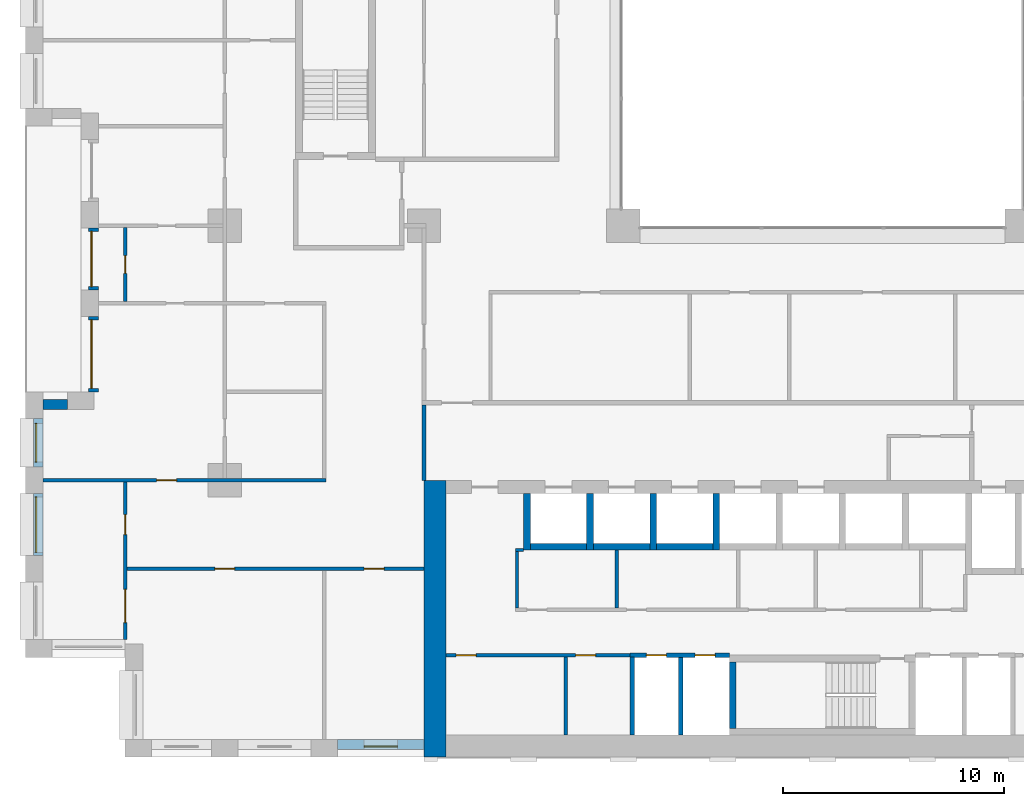
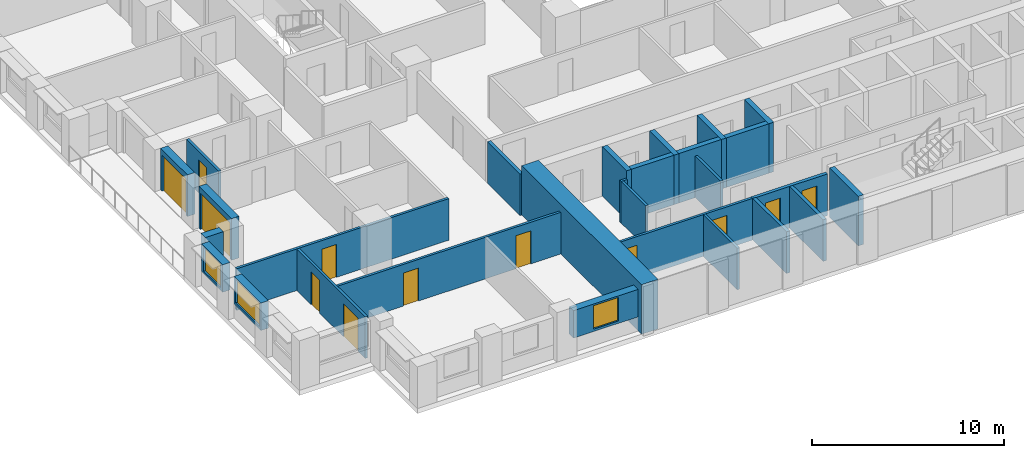
# One storey, part 9 of 20: 28 walls, 12 doors, 3 windows, 15 openings.
"""IFC4 building model written with IfcOpenShell, lengths in metres."""

from ifc_helpers import new_model, si_unit, direction, frame, frame_2d, origin, place, context, subcontext, project, spatial, rectangle, extrude, material, layer, layer_set, type_object, element, fill, save


model = new_model("IFC4")

# Units and contexts
model_context = context("Model", 3, precision=1e-05, world=origin(), true_north=direction((0.0, 1.0)))
body_context = subcontext(model_context, "Body", "Model", "MODEL_VIEW")
ifc_project = project(units=[si_unit("LENGTHUNIT", "METRE"), si_unit("AREAUNIT", "SQUARE_METRE"), si_unit("VOLUMEUNIT", "CUBIC_METRE"), si_unit("PLANEANGLEUNIT", "RADIAN"), si_unit("MASSUNIT", "GRAM", prefix="KILO")], contexts=[model_context])

# Site, building, storey
site_placement = place(None, origin())
site = spatial("IfcSite", under=ifc_project, at=site_placement, CompositionType="ELEMENT")
building_placement = place(site_placement, origin())
building = spatial("IfcBuilding", under=site, at=building_placement, Name="Brigalow Station Residences", CompositionType="ELEMENT")
storey_placement = place(building_placement, frame((0.0, 0.0, 69.89990234375)))
storey = spatial("IfcBuildingStorey", under=building, at=storey_placement, Name="L20", CompositionType="ELEMENT", Elevation=69.89990234375)

# Wall, opening, window
ifc_material_1 = material(Name="Clay brick masonry", Category="masonry")
ifc_layer_1 = layer(ifc_material_1, 0.449951171875)
ifc_layer_set_1 = layer_set([ifc_layer_1], Name="BRICK INFILL WALL 450")
wall_type_1 = type_object("IfcWallType", Name="BRICK INFILL WALL 450", PredefinedType="SOLIDWALL", material=ifc_layer_set_1)
wall_1_placement = place(storey_placement, frame((14.10009765625, 0.574951171875, 0.900146484375), z_axis=(0.0, 0.0, 1.0), x_axis=(1.0, 0.0, 0.0)))
wall_1 = element("IfcWall", 1, at=wall_1_placement, inside=storey, type_object=wall_type_1, Name="L20/ewall/W-L20-3", PredefinedType="SOLIDWALL", context=body_context, shape_type="SweptSolid", body=[
    extrude(rectangle(XDim=3.89990234375, YDim=0.449951171875, at=frame_2d((1.949951171875, 0.0))), origin(), (0.0, 0.0, 1.0), 1.75),
])
opening_1_placement = place(wall_1_placement, frame((1.199951171875, 0.0, 0.14990234375)))
opening_1 = element("IfcOpeningElement", 2, at=opening_1_placement, cuts=wall_1, Name="Opening WT-1", PredefinedType="OPENING", context=body_context, shape_type="SweptSolid", body=[
    extrude(rectangle(XDim=1.5, YDim=1.5, at=frame_2d((0.75, 0.75))), frame((0.0, 0.23486328125, 0.0), z_axis=(0.0, -1.0, 0.0), x_axis=(1.0, 0.0, 0.0)), (0.0, 0.0, 1.0), 0.469970703125),
])
ifc_material_2 = material(Name="Anodised aluminium frame with double glazing", Category="aluminium")
window_type_1 = type_object("IfcWindowType", Name="WINDOW 1500x1500", PartitioningType="SINGLE_PANEL", PredefinedType="WINDOW", material=ifc_material_2)
window_1_placement = place(opening_1_placement, origin())
window_1 = element("IfcWindow", 3, at=window_1_placement, inside=storey, type_object=window_type_1, Name="L20/window/W-L20-3", OverallHeight=1.5, OverallWidth=1.5, PartitioningType="SINGLE_PANEL", PredefinedType="WINDOW", context=body_context, shape_type="SweptSolid", body=[
    extrude(rectangle(XDim=1.5, YDim=1.5, at=frame_2d((0.75, 0.75))), frame((0.0, -0.06494140625, 0.0), z_axis=(0.0, -1.0, 0.0), x_axis=(1.0, 0.0, 0.0)), (0.0, 0.0, 1.0), 0.06005859375),
])
fill(opening_1, window_1)

# Wall, opening, door
wall_2_placement = place(storey_placement, frame((3.074951171875, 23.89990234375, 0.0), z_axis=(0.0, 0.0, 1.0), x_axis=(0.0, -1.0, 0.0)))
wall_2 = element("IfcWall", 4, at=wall_2_placement, inside=storey, type_object=wall_type_1, Name="L20/ewall/W-L20-48", PredefinedType="SOLIDWALL", context=body_context, shape_type="SweptSolid", body=[
    extrude(rectangle(XDim=2.7998046875, YDim=0.449951171875, at=frame_2d((1.39990234375, 0.0))), origin(), (0.0, 0.0, 1.0), 2.650146484375),
])
opening_2_placement = place(wall_2_placement, frame((0.14990234375, 0.0, 0.0)))
opening_2 = element("IfcOpeningElement", 5, at=opening_2_placement, cuts=wall_2, Name="Opening D-B2500", PredefinedType="OPENING", context=body_context, shape_type="SweptSolid", body=[
    extrude(rectangle(XDim=2.5, YDim=2.300048828125, at=frame_2d((1.25, 1.14990234375))), frame((0.0, 0.23486328125, 0.0), z_axis=(0.0, -1.0, 0.0), x_axis=(1.0, 0.0, 0.0)), (0.0, 0.0, 1.0), 0.469970703125),
])
ifc_material_3 = material(Name="Anodised aluminium frame with double glazing", Category="aluminium")
door_type_1 = type_object("IfcDoorType", Name="BALCONY SLIDING DOOR 2500x2300", OperationType="SLIDING_TO_LEFT", PredefinedType="DOOR", material=ifc_material_3)
door_1_placement = place(opening_2_placement, origin())
door_1 = element("IfcDoor", 6, at=door_1_placement, inside=storey, type_object=door_type_1, Name="L20/balcony-door/W-L20-48", OperationType="SLIDING_TO_LEFT", OverallHeight=2.300048828125, OverallWidth=2.5, PredefinedType="DOOR", context=body_context, shape_type="SweptSolid", body=[
    extrude(rectangle(XDim=2.5, YDim=2.300048828125, at=frame_2d((1.25, 1.14990234375))), frame((0.0, -0.06982421875, 0.0), z_axis=(0.0, -1.0, 0.0), x_axis=(1.0, 0.0, 0.0)), (0.0, 0.0, 1.0), 0.050048828125),
])
fill(opening_2, door_1)

wall_3_placement = place(storey_placement, frame((3.074951171875, 19.89990234375, 0.0), z_axis=(0.0, 0.0, 1.0), x_axis=(0.0, -1.0, 0.0)))
wall_3 = element("IfcWall", 7, at=wall_3_placement, inside=storey, type_object=wall_type_1, Name="L20/ewall/W-L20-49", PredefinedType="SOLIDWALL", context=body_context, shape_type="SweptSolid", body=[
    extrude(rectangle(XDim=3.39990234375, YDim=0.449951171875, at=frame_2d((1.699951171875, 0.0))), origin(), (0.0, 0.0, 1.0), 2.650146484375),
])
opening_3_placement = place(wall_3_placement, frame((0.14990234375, 0.0, 0.0)))
opening_3 = element("IfcOpeningElement", 8, at=opening_3_placement, cuts=wall_3, Name="Opening D-B3100", PredefinedType="OPENING", context=body_context, shape_type="SweptSolid", body=[
    extrude(rectangle(XDim=3.10009765625, YDim=2.300048828125, at=frame_2d((1.550048828125, 1.14990234375))), frame((0.0, 0.23486328125, 0.0), z_axis=(0.0, -1.0, 0.0), x_axis=(1.0, 0.0, 0.0)), (0.0, 0.0, 1.0), 0.469970703125),
])
ifc_material_4 = material(Name="Anodised aluminium frame with double glazing", Category="aluminium")
door_type_2 = type_object("IfcDoorType", Name="BALCONY SLIDING DOOR 3100x2300", OperationType="SLIDING_TO_LEFT", PredefinedType="DOOR", material=ifc_material_4)
door_2_placement = place(opening_3_placement, origin())
door_2 = element("IfcDoor", 9, at=door_2_placement, inside=storey, type_object=door_type_2, Name="L20/balcony-door/W-L20-49", OperationType="SLIDING_TO_LEFT", OverallHeight=2.300048828125, OverallWidth=3.10009765625, PredefinedType="DOOR", context=body_context, shape_type="SweptSolid", body=[
    extrude(rectangle(XDim=3.10009765625, YDim=2.300048828125, at=frame_2d((1.550048828125, 1.14990234375))), frame((0.0, -0.06982421875, 0.0), z_axis=(0.0, -1.0, 0.0), x_axis=(1.0, 0.0, 0.0)), (0.0, 0.0, 1.0), 0.050048828125),
])
fill(opening_3, door_2)

# Wall
wall_4_placement = place(storey_placement, frame((1.89990234375, 15.925048828125, 0.900146484375), z_axis=(0.0, 0.0, 1.0), x_axis=(-1.0, 0.0, 0.0)))
element("IfcWall", 10, at=wall_4_placement, inside=storey, type_object=wall_type_1, Name="L20/ewall/W-L20-50", PredefinedType="SOLIDWALL", context=body_context, shape_type="SweptSolid", body=[
    extrude(rectangle(XDim=1.099853515625, YDim=0.449951171875, at=frame_2d((0.5498046875, 0.0))), origin(), (0.0, 0.0, 1.0), 1.75),
])

# Wall, opening, window
wall_5_placement = place(storey_placement, frame((0.574951171875, 15.300048828125, 0.900146484375), z_axis=(0.0, 0.0, 1.0), x_axis=(0.0, -1.0, 0.0)))
wall_5 = element("IfcWall", 11, at=wall_5_placement, inside=storey, type_object=wall_type_1, Name="L20/ewall/W-L20-51", PredefinedType="SOLIDWALL", context=body_context, shape_type="SweptSolid", body=[
    extrude(rectangle(XDim=2.199951171875, YDim=0.449951171875, at=frame_2d((1.10009765625, 0.0))), origin(), (0.0, 0.0, 1.0), 1.75),
])
opening_4_placement = place(wall_5_placement, frame((0.22509765625, 0.0, 0.14990234375)))
opening_4 = element("IfcOpeningElement", 12, at=opening_4_placement, cuts=wall_5, Name="Opening WT-4", PredefinedType="OPENING", context=body_context, shape_type="SweptSolid", body=[
    extrude(rectangle(XDim=1.75, YDim=1.5, at=frame_2d((0.875, 0.75))), frame((0.0, 0.23486328125, 0.0), z_axis=(0.0, -1.0, 0.0), x_axis=(1.0, 0.0, 0.0)), (0.0, 0.0, 1.0), 0.469970703125),
])
ifc_material_5 = material(Name="Anodised aluminium frame with double glazing", Category="aluminium")
window_type_2 = type_object("IfcWindowType", Name="WINDOW 1750x1500", PartitioningType="SINGLE_PANEL", PredefinedType="WINDOW", material=ifc_material_5)
window_2_placement = place(opening_4_placement, origin())
window_2 = element("IfcWindow", 13, at=window_2_placement, inside=storey, type_object=window_type_2, Name="L20/window/W-L20-51", OverallHeight=1.5, OverallWidth=1.75, PartitioningType="SINGLE_PANEL", PredefinedType="WINDOW", context=body_context, shape_type="SweptSolid", body=[
    extrude(rectangle(XDim=1.75, YDim=1.5, at=frame_2d((0.875, 0.75))), frame((0.0, -0.06494140625, 0.0), z_axis=(0.0, -1.0, 0.0), x_axis=(1.0, 0.0, 0.0)), (0.0, 0.0, 1.0), 0.06005859375),
])
fill(opening_4, window_2)

wall_6_placement = place(storey_placement, frame((0.574951171875, 11.89990234375, 0.900146484375), z_axis=(0.0, 0.0, 1.0), x_axis=(0.0, -1.0, 0.0)))
wall_6 = element("IfcWall", 14, at=wall_6_placement, inside=storey, type_object=wall_type_1, Name="L20/ewall/W-L20-52", PredefinedType="SOLIDWALL", context=body_context, shape_type="SweptSolid", body=[
    extrude(rectangle(XDim=2.7998046875, YDim=0.449951171875, at=frame_2d((1.39990234375, 0.0))), origin(), (0.0, 0.0, 1.0), 1.75),
])
opening_5_placement = place(wall_6_placement, frame((0.14990234375, 0.0, 0.14990234375)))
opening_5 = element("IfcOpeningElement", 15, at=opening_5_placement, cuts=wall_6, Name="Opening WT-5", PredefinedType="OPENING", context=body_context, shape_type="SweptSolid", body=[
    extrude(rectangle(XDim=2.5, YDim=1.5, at=frame_2d((1.25, 0.75))), frame((0.0, 0.23486328125, 0.0), z_axis=(0.0, -1.0, 0.0), x_axis=(1.0, 0.0, 0.0)), (0.0, 0.0, 1.0), 0.469970703125),
])
ifc_material_6 = material(Name="Anodised aluminium frame with double glazing", Category="aluminium")
window_type_3 = type_object("IfcWindowType", Name="WINDOW 2500x1500", PartitioningType="SINGLE_PANEL", PredefinedType="WINDOW", material=ifc_material_6)
window_3_placement = place(opening_5_placement, origin())
window_3 = element("IfcWindow", 16, at=window_3_placement, inside=storey, type_object=window_type_3, Name="L20/window/W-L20-52", OverallHeight=1.5, OverallWidth=2.5, PartitioningType="SINGLE_PANEL", PredefinedType="WINDOW", context=body_context, shape_type="SweptSolid", body=[
    extrude(rectangle(XDim=2.5, YDim=1.5, at=frame_2d((1.25, 0.75))), frame((0.0, -0.06494140625, 0.0), z_axis=(0.0, -1.0, 0.0), x_axis=(1.0, 0.0, 0.0)), (0.0, 0.0, 1.0), 0.06005859375),
])
fill(opening_5, window_3)

# Walls
ifc_material_7 = material(Name="Concrete C80", Category="concrete")
ifc_layer_2 = layer(ifc_material_7, 1.0)
ifc_layer_set_2 = layer_set([ifc_layer_2], Name="CORE SHEAR WALL 1000 C80")
wall_type_2 = type_object("IfcWallType", Name="CORE SHEAR WALL 1000 C80", PredefinedType="SHEAR", material=ifc_layer_set_2)
wall_7_placement = place(storey_placement, frame((18.5, 0.0, 0.0), z_axis=(0.0, 0.0, 1.0), x_axis=(0.0, 1.0, 0.0)))
element("IfcWall", 17, at=wall_7_placement, inside=storey, type_object=wall_type_2, Name="CORE WALL OUT-W L20", PredefinedType="SHEAR", context=body_context, shape_type="SweptSolid", body=[
    extrude(rectangle(XDim=12.5, YDim=1.0, at=frame_2d((6.25, 0.0))), origin(), (0.0, 0.0, 1.0), 3.150146484375),
])
ifc_material_8 = material(Name="Concrete C80", Category="concrete")
ifc_layer_3 = layer(ifc_material_8, 0.300048828125)
ifc_layer_set_3 = layer_set([ifc_layer_3], Name="CORE SHEAR WALL 300 C80")
wall_type_3 = type_object("IfcWallType", Name="CORE SHEAR WALL 300 C80", PredefinedType="SHEAR", material=ifc_layer_set_3)
wall_8_placement = place(storey_placement, frame((22.800048828125, 9.5, 0.0), z_axis=(0.0, 0.0, 1.0), x_axis=(1.0, 0.0, 0.0)))
element("IfcWall", 18, at=wall_8_placement, inside=storey, type_object=wall_type_3, Name="CORE WALL SH-P1-S L20", PredefinedType="SHEAR", context=body_context, shape_type="SweptSolid", body=[
    extrude(rectangle(XDim=2.550048828125, YDim=0.300048828125, at=frame_2d((1.27490234375, 0.0))), origin(), (0.0, 0.0, 1.0), 3.150146484375),
])
wall_9_placement = place(storey_placement, frame((22.64990234375, 9.35009765625, 0.0), z_axis=(0.0, 0.0, 1.0), x_axis=(0.0, 1.0, 0.0)))
element("IfcWall", 19, at=wall_9_placement, inside=storey, type_object=wall_type_3, Name="CORE WALL SH-P1-W L20", PredefinedType="SHEAR", context=body_context, shape_type="SweptSolid", body=[
    extrude(rectangle(XDim=2.5498046875, YDim=0.300048828125, at=frame_2d((1.27490234375, 0.0))), origin(), (0.0, 0.0, 1.0), 3.150146484375),
])
wall_10_placement = place(storey_placement, frame((25.64990234375, 9.5, 0.0), z_axis=(0.0, 0.0, 1.0), x_axis=(1.0, 0.0, 0.0)))
element("IfcWall", 20, at=wall_10_placement, inside=storey, type_object=wall_type_3, Name="CORE WALL SH-P2-S L20", PredefinedType="SHEAR", context=body_context, shape_type="SweptSolid", body=[
    extrude(rectangle(XDim=2.550048828125, YDim=0.300048828125, at=frame_2d((1.27490234375, 0.0))), origin(), (0.0, 0.0, 1.0), 3.150146484375),
])
wall_11_placement = place(storey_placement, frame((25.5, 9.35009765625, 0.0), z_axis=(0.0, 0.0, 1.0), x_axis=(0.0, 1.0, 0.0)))
element("IfcWall", 21, at=wall_11_placement, inside=storey, type_object=wall_type_3, Name="CORE WALL SH-P2-W L20", PredefinedType="SHEAR", context=body_context, shape_type="SweptSolid", body=[
    extrude(rectangle(XDim=2.5498046875, YDim=0.300048828125, at=frame_2d((1.27490234375, 0.0))), origin(), (0.0, 0.0, 1.0), 3.150146484375),
])
wall_12_placement = place(storey_placement, frame((28.5, 9.5, 0.0), z_axis=(0.0, 0.0, 1.0), x_axis=(1.0, 0.0, 0.0)))
element("IfcWall", 22, at=wall_12_placement, inside=storey, type_object=wall_type_3, Name="CORE WALL SH-P3-S L20", PredefinedType="SHEAR", context=body_context, shape_type="SweptSolid", body=[
    extrude(rectangle(XDim=2.550048828125, YDim=0.300048828125, at=frame_2d((1.27490234375, 0.0))), origin(), (0.0, 0.0, 1.0), 3.150146484375),
])
for number, where, z_axis, x_axis, name in (
    (23, (28.35009765625, 9.35009765625, 0.0), (0.0, 0.0, 1.0), (0.0, 1.0, 0.0), "CORE WALL SH-P3-W L20"),
    (24, (31.199951171875, 9.35009765625, 0.0), (0.0, 0.0, 1.0), (0.0, 1.0, 0.0), "CORE WALL SH-P4-W L20"),
):
    element("IfcWall", number, at=place(storey_placement, frame(where, z_axis=z_axis, x_axis=x_axis)), inside=storey, type_object=wall_type_3, Name=name, PredefinedType="SHEAR", context=body_context, shape_type="SweptSolid", body=[
        extrude(rectangle(XDim=2.5498046875, YDim=0.300048828125, at=frame_2d((1.27490234375, 0.0))), origin(), (0.0, 0.0, 1.0), 3.150146484375),
    ])
wall_13_placement = place(storey_placement, frame((31.949951171875, 1.300048828125, 0.0), z_axis=(0.0, 0.0, 1.0), x_axis=(0.0, 1.0, 0.0)))
element("IfcWall", 25, at=wall_13_placement, inside=storey, type_object=wall_type_3, Name="CORE WALL ST-S2-W L20", PredefinedType="SHEAR", context=body_context, shape_type="SweptSolid", body=[
    extrude(rectangle(XDim=3.0, YDim=0.300048828125, at=frame_2d((1.5, 0.0))), origin(), (0.0, 0.0, 1.0), 3.150146484375),
])

# Wall, openings, doors
ifc_material_9 = material(Name="Concrete blockwork", Category="masonry")
ifc_layer_4 = layer(ifc_material_9, 0.199951171875)
ifc_layer_set_4 = layer_set([ifc_layer_4], Name="FIRE RATED CORE PARTITION 200")
wall_type_4 = type_object("IfcWallType", Name="FIRE RATED CORE PARTITION 200", PredefinedType="PARTITIONING", material=ifc_layer_set_4)
wall_14_placement = place(storey_placement, frame((27.300048828125, 4.60009765625, 0.0), z_axis=(0.0, 0.0, 1.0), x_axis=(1.0, 0.0, 0.0)))
wall_14 = element("IfcWall", 26, at=wall_14_placement, inside=storey, type_object=wall_type_4, Name="PW-5017", PredefinedType="PARTITIONING", context=body_context, shape_type="SweptSolid", body=[
    extrude(rectangle(XDim=4.5, YDim=0.199951171875, at=frame_2d((2.25, 0.0))), origin(), (0.0, 0.0, 1.0), 2.650146484375),
])
opening_6_placement = place(wall_14_placement, frame((0.75, 0.0, 0.0)))
opening_6 = element("IfcOpeningElement", 27, at=opening_6_placement, cuts=wall_14, Name="Opening D-5007", PredefinedType="OPENING", context=body_context, shape_type="SweptSolid", body=[
    extrude(rectangle(XDim=0.89990234375, YDim=2.10009765625, at=frame_2d((0.449951171875, 1.050048828125))), frame((0.0, 0.10986328125, 0.0), z_axis=(0.0, -1.0, 0.0), x_axis=(1.0, 0.0, 0.0)), (0.0, 0.0, 1.0), 0.219970703125),
])
opening_7_placement = place(wall_14_placement, frame((2.949951171875, 0.0, 0.0)))
opening_7 = element("IfcOpeningElement", 28, at=opening_7_placement, cuts=wall_14, Name="Opening D-5008", PredefinedType="OPENING", context=body_context, shape_type="SweptSolid", body=[
    extrude(rectangle(XDim=0.89990234375, YDim=2.10009765625, at=frame_2d((0.449951171875, 1.050048828125))), frame((0.0, 0.10986328125, 0.0), z_axis=(0.0, -1.0, 0.0), x_axis=(1.0, 0.0, 0.0)), (0.0, 0.0, 1.0), 0.219970703125),
])
ifc_material_10 = material(Name="Steel fire door leaf in steel frame", Category="steel")
door_type_3 = type_object("IfcDoorType", Name="RISER ACCESS DOOR 900 x 2100 FD120", OperationType="SINGLE_SWING_LEFT", PredefinedType="DOOR", material=ifc_material_10)
door_3_placement = place(opening_6_placement, frame((0.89990234375, 0.0, 0.0), z_axis=(0.0, 0.0, 1.0), x_axis=(-1.0, 0.0, 0.0)))
door_3 = element("IfcDoor", 29, at=door_3_placement, inside=storey, type_object=door_type_3, Name="D-5007", OperationType="SINGLE_SWING_RIGHT", OverallHeight=2.10009765625, OverallWidth=0.89990234375, PredefinedType="DOOR", context=body_context, shape_type="SweptSolid", body=[
    extrude(rectangle(XDim=0.89990234375, YDim=2.10009765625, at=frame_2d((0.449951171875, 1.050048828125))), frame((0.0, 0.02490234375, 0.0), z_axis=(0.0, -1.0, 0.0), x_axis=(1.0, 0.0, 0.0)), (0.0, 0.0, 1.0), 0.050048828125),
])
fill(opening_6, door_3)
door_4_placement = place(opening_7_placement, frame((0.89990234375, 0.0, 0.0), z_axis=(0.0, 0.0, 1.0), x_axis=(-1.0, 0.0, 0.0)))
door_4 = element("IfcDoor", 30, at=door_4_placement, inside=storey, type_object=door_type_3, Name="D-5008", OperationType="SINGLE_SWING_RIGHT", OverallHeight=2.10009765625, OverallWidth=0.89990234375, PredefinedType="DOOR", context=body_context, shape_type="SweptSolid", body=[
    extrude(rectangle(XDim=0.89990234375, YDim=2.10009765625, at=frame_2d((0.449951171875, 1.050048828125))), frame((0.0, 0.02490234375, 0.0), z_axis=(0.0, -1.0, 0.0), x_axis=(1.0, 0.0, 0.0)), (0.0, 0.0, 1.0), 0.050048828125),
])
fill(opening_7, door_4)

# Walls
wall_15_placement = place(storey_placement, frame((27.39990234375, 1.0, 0.0), z_axis=(0.0, 0.0, 1.0), x_axis=(0.0, 1.0, 0.0)))
element("IfcWall", 31, at=wall_15_placement, inside=storey, type_object=wall_type_4, Name="PW-5027", PredefinedType="PARTITIONING", context=body_context, shape_type="SweptSolid", body=[
    extrude(rectangle(XDim=3.52490234375, YDim=0.199951171875, at=frame_2d((1.762451171875, 0.0))), origin(), (0.0, 0.0, 1.0), 2.650146484375),
])
wall_16_placement = place(storey_placement, frame((29.60009765625, 1.0, 0.0), z_axis=(0.0, 0.0, 1.0), x_axis=(0.0, 1.0, 0.0)))
element("IfcWall", 32, at=wall_16_placement, inside=storey, type_object=wall_type_4, Name="PW-5006", PredefinedType="PARTITIONING", context=body_context, shape_type="SweptSolid", body=[
    extrude(rectangle(XDim=3.5, YDim=0.199951171875, at=frame_2d((1.75, 0.0))), origin(), (0.0, 0.0, 1.0), 2.650146484375),
])
wall_17_placement = place(storey_placement, frame((18.0, 12.5, 0.0), z_axis=(0.0, 0.0, 1.0), x_axis=(0.0, 1.0, 0.0)))
element("IfcWall", 33, at=wall_17_placement, inside=storey, type_object=wall_type_4, Name="PW-5013", PredefinedType="PARTITIONING", context=body_context, shape_type="SweptSolid", body=[
    extrude(rectangle(XDim=3.39990234375, YDim=0.199951171875, at=frame_2d((1.699951171875, 0.0))), origin(), (0.0, 0.0, 1.0), 2.650146484375),
])

# Wall, openings, doors
ifc_material_11 = material(Name="Plasterboard on steel stud partition", Category="steel")
ifc_layer_5 = layer(ifc_material_11, 0.14990234375)
ifc_layer_set_5 = layer_set([ifc_layer_5], Name="FLAT PARTITION 150")
wall_type_5 = type_object("IfcWallType", Name="FLAT PARTITION 150", PredefinedType="PARTITIONING", material=ifc_layer_set_5)
wall_18_placement = place(storey_placement, frame((4.574951171875, 8.5, 0.0), z_axis=(0.0, 0.0, 1.0), x_axis=(1.0, 0.0, 0.0)))
wall_18 = element("IfcWall", 34, at=wall_18_placement, inside=storey, type_object=wall_type_5, Name="PW-1G10", PredefinedType="PARTITIONING", context=body_context, shape_type="SweptSolid", body=[
    extrude(rectangle(XDim=13.425048828125, YDim=0.14990234375, at=frame_2d((6.71240234375, 0.0))), origin(), (0.0, 0.0, 1.0), 2.650146484375),
])
opening_8_placement = place(wall_18_placement, frame((10.72509765625, 0.0, 0.0)))
opening_8 = element("IfcOpeningElement", 35, at=opening_8_placement, cuts=wall_18, Name="Opening D-1G12", PredefinedType="OPENING", context=body_context, shape_type="SweptSolid", body=[
    extrude(rectangle(XDim=0.89990234375, YDim=2.10009765625, at=frame_2d((0.449951171875, 1.050048828125))), frame((0.0, 0.0849609375, 0.0), z_axis=(0.0, -1.0, 0.0), x_axis=(1.0, 0.0, 0.0)), (0.0, 0.0, 1.0), 0.169921875),
])
opening_9_placement = place(wall_18_placement, frame((3.97509765625, 0.0, 0.0)))
opening_9 = element("IfcOpeningElement", 36, at=opening_9_placement, cuts=wall_18, Name="Opening D-1G14", PredefinedType="OPENING", context=body_context, shape_type="SweptSolid", body=[
    extrude(rectangle(XDim=0.89990234375, YDim=2.10009765625, at=frame_2d((0.449951171875, 1.050048828125))), frame((0.0, 0.0849609375, 0.0), z_axis=(0.0, -1.0, 0.0), x_axis=(1.0, 0.0, 0.0)), (0.0, 0.0, 1.0), 0.169921875),
])
ifc_material_12 = material(Name="Solid-core timber door leaf", Category="wood")
door_type_4 = type_object("IfcDoorType", Name="INTERNAL DOOR 900 x 2100", OperationType="SINGLE_SWING_LEFT", PredefinedType="DOOR", material=ifc_material_12)
door_5_placement = place(opening_8_placement, frame((0.89990234375, 0.0, 0.0), z_axis=(0.0, 0.0, 1.0), x_axis=(-1.0, 0.0, 0.0)))
door_5 = element("IfcDoor", 37, at=door_5_placement, inside=storey, type_object=door_type_4, Name="D-1G12", OperationType="SINGLE_SWING_RIGHT", OverallHeight=2.10009765625, OverallWidth=0.89990234375, PredefinedType="DOOR", context=body_context, shape_type="SweptSolid", body=[
    extrude(rectangle(XDim=0.89990234375, YDim=2.10009765625, at=frame_2d((0.449951171875, 1.050048828125))), frame((0.0, 0.02490234375, 0.0), z_axis=(0.0, -1.0, 0.0), x_axis=(1.0, 0.0, 0.0)), (0.0, 0.0, 1.0), 0.050048828125),
])
fill(opening_8, door_5)
door_6_placement = place(opening_9_placement, frame((0.89990234375, 0.0, 0.0), z_axis=(0.0, 0.0, 1.0), x_axis=(-1.0, 0.0, 0.0)))
door_6 = element("IfcDoor", 38, at=door_6_placement, inside=storey, type_object=door_type_4, Name="D-1G14", OperationType="SINGLE_SWING_LEFT", OverallHeight=2.10009765625, OverallWidth=0.89990234375, PredefinedType="DOOR", context=body_context, shape_type="SweptSolid", body=[
    extrude(rectangle(XDim=0.89990234375, YDim=2.10009765625, at=frame_2d((0.449951171875, 1.050048828125))), frame((0.0, 0.02490234375, 0.0), z_axis=(0.0, -1.0, 0.0), x_axis=(1.0, 0.0, 0.0)), (0.0, 0.0, 1.0), 0.050048828125),
])
fill(opening_9, door_6)

# Wall, opening, door
wall_19_placement = place(storey_placement, frame((0.800048828125, 12.5, 0.0), z_axis=(0.0, 0.0, 1.0), x_axis=(1.0, 0.0, 0.0)))
wall_19 = element("IfcWall", 39, at=wall_19_placement, inside=storey, type_object=wall_type_5, Name="PW-1G12", PredefinedType="PARTITIONING", context=body_context, shape_type="SweptSolid", body=[
    extrude(rectangle(XDim=12.77490234375, YDim=0.14990234375, at=frame_2d((6.387451171875, 0.0))), origin(), (0.0, 0.0, 1.0), 2.650146484375),
])
opening_10_placement = place(wall_19_placement, frame((5.125, 0.0, 0.0)))
opening_10 = element("IfcOpeningElement", 40, at=opening_10_placement, cuts=wall_19, Name="Opening D-1G15", PredefinedType="OPENING", context=body_context, shape_type="SweptSolid", body=[
    extrude(rectangle(XDim=0.89990234375, YDim=2.10009765625, at=frame_2d((0.449951171875, 1.050048828125))), frame((0.0, 0.0849609375, 0.0), z_axis=(0.0, -1.0, 0.0), x_axis=(1.0, 0.0, 0.0)), (0.0, 0.0, 1.0), 0.169921875),
])
door_7_placement = place(opening_10_placement, origin())
door_7 = element("IfcDoor", 41, at=door_7_placement, inside=storey, type_object=door_type_4, Name="D-1G15", OperationType="SINGLE_SWING_RIGHT", OverallHeight=2.10009765625, OverallWidth=0.89990234375, PredefinedType="DOOR", context=body_context, shape_type="SweptSolid", body=[
    extrude(rectangle(XDim=0.89990234375, YDim=2.10009765625, at=frame_2d((0.449951171875, 1.050048828125))), frame((0.0, 0.02490234375, 0.0), z_axis=(0.0, -1.0, 0.0), x_axis=(1.0, 0.0, 0.0)), (0.0, 0.0, 1.0), 0.050048828125),
])
fill(opening_10, door_7)

# Wall, openings, doors
wall_20_placement = place(storey_placement, frame((4.5, 5.300048828125, 0.0), z_axis=(0.0, 0.0, 1.0), x_axis=(0.0, 1.0, 0.0)))
wall_20 = element("IfcWall", 42, at=wall_20_placement, inside=storey, type_object=wall_type_5, Name="PW-1G53", PredefinedType="PARTITIONING", context=body_context, shape_type="SweptSolid", body=[
    extrude(rectangle(XDim=7.125, YDim=0.14990234375, at=frame_2d((3.5625, 0.0))), origin(), (0.0, 0.0, 1.0), 2.650146484375),
])
opening_11_placement = place(wall_20_placement, frame((4.75, 0.0, 0.0)))
opening_11 = element("IfcOpeningElement", 43, at=opening_11_placement, cuts=wall_20, Name="Opening D-1G07", PredefinedType="OPENING", context=body_context, shape_type="SweptSolid", body=[
    extrude(rectangle(XDim=0.89990234375, YDim=2.10009765625, at=frame_2d((0.449951171875, 1.050048828125))), frame((0.0, 0.0849609375, 0.0), z_axis=(0.0, -1.0, 0.0), x_axis=(1.0, 0.0, 0.0)), (0.0, 0.0, 1.0), 0.169921875),
])
opening_12_placement = place(wall_20_placement, frame((0.77490234375, 0.0, 0.0)))
opening_12 = element("IfcOpeningElement", 44, at=opening_12_placement, cuts=wall_20, Name="Opening D-1G08", PredefinedType="OPENING", context=body_context, shape_type="SweptSolid", body=[
    extrude(rectangle(XDim=1.5, YDim=2.10009765625, at=frame_2d((0.75, 1.050048828125))), frame((0.0, 0.0849609375, 0.0), z_axis=(0.0, -1.0, 0.0), x_axis=(1.0, 0.0, 0.0)), (0.0, 0.0, 1.0), 0.169921875),
])
door_8_placement = place(opening_11_placement, origin())
door_8 = element("IfcDoor", 45, at=door_8_placement, inside=storey, type_object=door_type_4, Name="D-1G07", OperationType="SINGLE_SWING_RIGHT", OverallHeight=2.10009765625, OverallWidth=0.89990234375, PredefinedType="DOOR", context=body_context, shape_type="SweptSolid", body=[
    extrude(rectangle(XDim=0.89990234375, YDim=2.10009765625, at=frame_2d((0.449951171875, 1.050048828125))), frame((0.0, 0.02490234375, 0.0), z_axis=(0.0, -1.0, 0.0), x_axis=(1.0, 0.0, 0.0)), (0.0, 0.0, 1.0), 0.050048828125),
])
fill(opening_11, door_8)
ifc_material_13 = material(Name="Solid-core timber door leaf", Category="wood")
door_type_5 = type_object("IfcDoorType", Name="INTERNAL DOUBLE DOOR 1500 x 2100", OperationType="DOUBLE_DOOR_SINGLE_SWING", PredefinedType="DOOR", material=ifc_material_13)
door_9_placement = place(opening_12_placement, origin())
door_9 = element("IfcDoor", 46, at=door_9_placement, inside=storey, type_object=door_type_5, Name="D-1G08", OperationType="DOUBLE_DOOR_SINGLE_SWING", OverallHeight=2.10009765625, OverallWidth=1.5, PredefinedType="DOOR", context=body_context, shape_type="SweptSolid", body=[
    extrude(rectangle(XDim=1.5, YDim=2.10009765625, at=frame_2d((0.75, 1.050048828125))), frame((0.0, 0.02490234375, 0.0), z_axis=(0.0, -1.0, 0.0), x_axis=(1.0, 0.0, 0.0)), (0.0, 0.0, 1.0), 0.050048828125),
])
fill(opening_12, door_9)

# Wall, opening, door
wall_21_placement = place(storey_placement, frame((4.5, 20.574951171875, 0.0), z_axis=(0.0, 0.0, 1.0), x_axis=(0.0, 1.0, 0.0)))
wall_21 = element("IfcWall", 47, at=wall_21_placement, inside=storey, type_object=wall_type_5, Name="PW-1G54", PredefinedType="PARTITIONING", context=body_context, shape_type="SweptSolid", body=[
    extrude(rectangle(XDim=3.35009765625, YDim=0.14990234375, at=frame_2d((1.675048828125, 0.0))), origin(), (0.0, 0.0, 1.0), 2.650146484375),
])
opening_13_placement = place(wall_21_placement, frame((1.27490234375, 0.0, 0.0)))
opening_13 = element("IfcOpeningElement", 48, at=opening_13_placement, cuts=wall_21, Name="Opening D-1G10", PredefinedType="OPENING", context=body_context, shape_type="SweptSolid", body=[
    extrude(rectangle(XDim=0.800048828125, YDim=2.10009765625, at=frame_2d((0.39990234375, 1.050048828125))), frame((0.0, 0.0849609375, 0.0), z_axis=(0.0, -1.0, 0.0), x_axis=(1.0, 0.0, 0.0)), (0.0, 0.0, 1.0), 0.169921875),
])
ifc_material_14 = material(Name="Solid-core timber door leaf", Category="wood")
door_type_6 = type_object("IfcDoorType", Name="INTERNAL DOOR 800 x 2100", OperationType="SINGLE_SWING_LEFT", PredefinedType="DOOR", material=ifc_material_14)
door_10_placement = place(opening_13_placement, origin())
door_10 = element("IfcDoor", 49, at=door_10_placement, inside=storey, type_object=door_type_6, Name="D-1G10", OperationType="SINGLE_SWING_LEFT", OverallHeight=2.10009765625, OverallWidth=0.800048828125, PredefinedType="DOOR", context=body_context, shape_type="SweptSolid", body=[
    extrude(rectangle(XDim=0.800048828125, YDim=2.10009765625, at=frame_2d((0.39990234375, 1.050048828125))), frame((0.0, 0.02490234375, 0.0), z_axis=(0.0, -1.0, 0.0), x_axis=(1.0, 0.0, 0.0)), (0.0, 0.0, 1.0), 0.050048828125),
])
fill(opening_13, door_10)

# Wall, openings, doors
ifc_material_15 = material(Name="Plasterboard on steel studs", Category="steel")
ifc_layer_6 = layer(ifc_material_15, 0.14990234375)
ifc_layer_set_6 = layer_set([ifc_layer_6], Name="SERVICE ROOM PARTITION 150")
wall_type_6 = type_object("IfcWallType", Name="SERVICE ROOM PARTITION 150", PredefinedType="PARTITIONING", material=ifc_layer_set_6)
wall_22_placement = place(storey_placement, frame((19.0, 4.60009765625, 0.0), z_axis=(0.0, 0.0, 1.0), x_axis=(1.0, 0.0, 0.0)))
wall_22 = element("IfcWall", 50, at=wall_22_placement, inside=storey, type_object=wall_type_6, Name="PW-5019", PredefinedType="PARTITIONING", context=body_context, shape_type="SweptSolid", body=[
    extrude(rectangle(XDim=8.300048828125, YDim=0.14990234375, at=frame_2d((4.14990234375, 0.0))), origin(), (0.0, 0.0, 1.0), 2.650146484375),
])
opening_14_placement = place(wall_22_placement, frame((0.449951171875, 0.0, 0.0)))
opening_14 = element("IfcOpeningElement", 51, at=opening_14_placement, cuts=wall_22, Name="Opening D-5025", PredefinedType="OPENING", context=body_context, shape_type="SweptSolid", body=[
    extrude(rectangle(XDim=0.89990234375, YDim=2.10009765625, at=frame_2d((0.449951171875, 1.050048828125))), frame((0.0, 0.0849609375, 0.0), z_axis=(0.0, -1.0, 0.0), x_axis=(1.0, 0.0, 0.0)), (0.0, 0.0, 1.0), 0.169921875),
])
opening_15_placement = place(wall_22_placement, frame((5.85009765625, 0.0, 0.0)))
opening_15 = element("IfcOpeningElement", 52, at=opening_15_placement, cuts=wall_22, Name="Opening D-5035", PredefinedType="OPENING", context=body_context, shape_type="SweptSolid", body=[
    extrude(rectangle(XDim=0.89990234375, YDim=2.10009765625, at=frame_2d((0.449951171875, 1.050048828125))), frame((0.0, 0.0849609375, 0.0), z_axis=(0.0, -1.0, 0.0), x_axis=(1.0, 0.0, 0.0)), (0.0, 0.0, 1.0), 0.169921875),
])
ifc_material_16 = material(Name="Steel door leaf in steel frame", Category="steel")
door_type_7 = type_object("IfcDoorType", Name="SERVICE ROOM DOOR 900 x 2100 FD60", OperationType="SINGLE_SWING_LEFT", PredefinedType="DOOR", material=ifc_material_16)
door_11_placement = place(opening_14_placement, frame((0.89990234375, 0.0, 0.0), z_axis=(0.0, 0.0, 1.0), x_axis=(-1.0, 0.0, 0.0)))
door_11 = element("IfcDoor", 53, at=door_11_placement, inside=storey, type_object=door_type_7, Name="D-5025", OperationType="SINGLE_SWING_RIGHT", OverallHeight=2.10009765625, OverallWidth=0.89990234375, PredefinedType="DOOR", context=body_context, shape_type="SweptSolid", body=[
    extrude(rectangle(XDim=0.89990234375, YDim=2.10009765625, at=frame_2d((0.449951171875, 1.050048828125))), frame((0.0, 0.02490234375, 0.0), z_axis=(0.0, -1.0, 0.0), x_axis=(1.0, 0.0, 0.0)), (0.0, 0.0, 1.0), 0.050048828125),
])
fill(opening_14, door_11)
door_12_placement = place(opening_15_placement, frame((0.89990234375, 0.0, 0.0), z_axis=(0.0, 0.0, 1.0), x_axis=(-1.0, 0.0, 0.0)))
door_12 = element("IfcDoor", 54, at=door_12_placement, inside=storey, type_object=door_type_7, Name="D-5035", OperationType="SINGLE_SWING_RIGHT", OverallHeight=2.10009765625, OverallWidth=0.89990234375, PredefinedType="DOOR", context=body_context, shape_type="SweptSolid", body=[
    extrude(rectangle(XDim=0.89990234375, YDim=2.10009765625, at=frame_2d((0.449951171875, 1.050048828125))), frame((0.0, 0.02490234375, 0.0), z_axis=(0.0, -1.0, 0.0), x_axis=(1.0, 0.0, 0.0)), (0.0, 0.0, 1.0), 0.050048828125),
])
fill(opening_15, door_12)

# Walls
wall_23_placement = place(storey_placement, frame((22.125, 9.35009765625, 0.0), z_axis=(0.0, 0.0, 1.0), x_axis=(1.0, 0.0, 0.0)))
element("IfcWall", 55, at=wall_23_placement, inside=storey, type_object=wall_type_6, Name="PW-5022", PredefinedType="PARTITIONING", context=body_context, shape_type="SweptSolid", body=[
    extrude(rectangle(XDim=0.375, YDim=0.14990234375, at=frame_2d((0.1875, 0.0))), origin(), (0.0, 0.0, 1.0), 2.650146484375),
])
wall_24_placement = place(storey_placement, frame((24.39990234375, 1.0, 0.0), z_axis=(0.0, 0.0, 1.0), x_axis=(0.0, 1.0, 0.0)))
element("IfcWall", 56, at=wall_24_placement, inside=storey, type_object=wall_type_6, Name="PW-5040", PredefinedType="PARTITIONING", context=body_context, shape_type="SweptSolid", body=[
    extrude(rectangle(XDim=3.52490234375, YDim=0.14990234375, at=frame_2d((1.762451171875, 0.0))), origin(), (0.0, 0.0, 1.0), 2.650146484375),
])
wall_25_placement = place(storey_placement, frame((22.199951171875, 6.72509765625, 0.0), z_axis=(0.0, 0.0, 1.0), x_axis=(0.0, 1.0, 0.0)))
element("IfcWall", 57, at=wall_25_placement, inside=storey, type_object=wall_type_6, Name="PW-5030", PredefinedType="PARTITIONING", context=body_context, shape_type="SweptSolid", body=[
    extrude(rectangle(XDim=2.5498046875, YDim=0.14990234375, at=frame_2d((1.27490234375, 0.0))), origin(), (0.0, 0.0, 1.0), 2.650146484375),
])
wall_26_placement = place(storey_placement, frame((26.699951171875, 6.72509765625, 0.0), z_axis=(0.0, 0.0, 1.0), x_axis=(0.0, 1.0, 0.0)))
element("IfcWall", 58, at=wall_26_placement, inside=storey, type_object=wall_type_6, Name="PW-5041", PredefinedType="PARTITIONING", context=body_context, shape_type="SweptSolid", body=[
    extrude(rectangle(XDim=2.625, YDim=0.14990234375, at=frame_2d((1.3125, 0.0))), origin(), (0.0, 0.0, 1.0), 2.650146484375),
])

save(model, "model.ifc")
